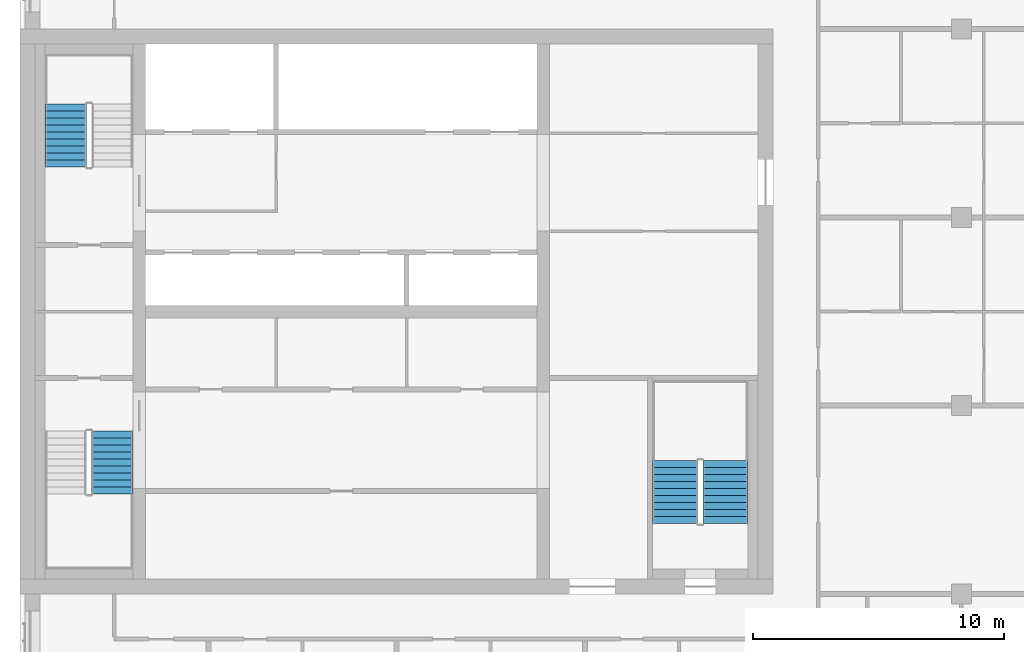
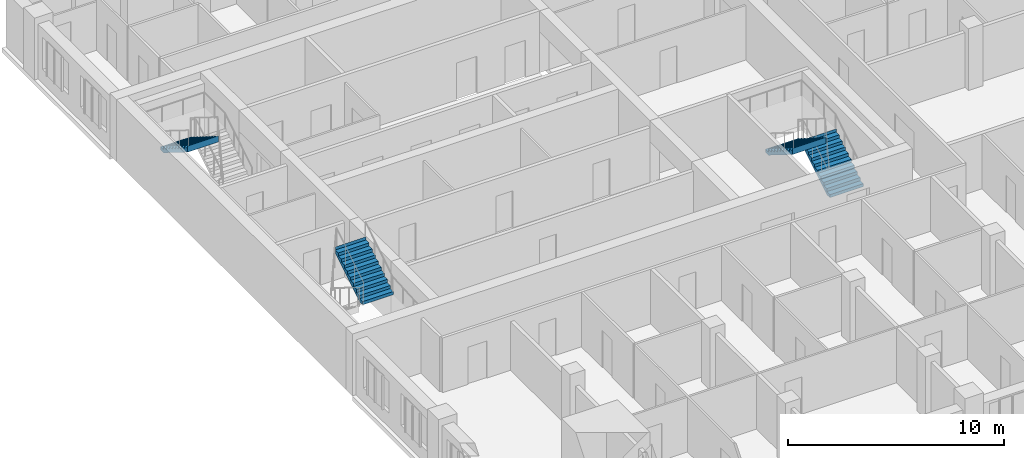
# One storey, part 9 of 11: 4 stair flights, 3 elements without a shape of their own.
"""IFC4 building model written with IfcOpenShell, lengths in metres."""

import ifcopenshell
import ifcopenshell.guid

model = None  # the IFC model being written
_history = None  # IfcOwnerHistory: only IFC2X3 demands one
_inside = {}  # id of a spatial element -> (the spatial element, [elements in it])
_under = {}  # id of a project, library or spatial element -> (it, [spatial elements below it])
_declared = {}  # id of a project -> (the project, [libraries it declares])
_typed = {}  # id of a type object -> (the type object, [elements of that type])
_made_of = {}  # id of a material, layer set ... -> (it, [elements and type objects made of it])


def new_model(schema):
    """Start an empty IFC model of exactly this schema.

    Asked for "IFC4X3", IfcOpenShell would pick the latest addendum, in which some entities
    have other attributes; the version numbers below select the first issue.
    IFC2X3 requires an IfcOwnerHistory on every rooted entity: one is made here for all.
    """
    global model, _history
    if schema == "IFC4X3":
        model = ifcopenshell.file(schema_version=(4, 3, 0, 0))
    else:
        model = ifcopenshell.file(schema=schema)
    _inside.clear()
    _under.clear()
    _declared.clear()
    _typed.clear()
    _made_of.clear()
    _history = None
    if model.schema == "IFC2X3":
        org = make("IfcOrganization", Name="unknown")
        user = make(
            "IfcPersonAndOrganization",
            ThePerson=make("IfcPerson", FamilyName="unknown"),
            TheOrganization=org,
        )
        app = make(
            "IfcApplication",
            ApplicationDeveloper=org,
            Version="unknown",
            ApplicationFullName="unknown",
            ApplicationIdentifier="unknown",
        )
        _history = make(
            "IfcOwnerHistory",
            OwningUser=user,
            OwningApplication=app,
            ChangeAction="ADDED",
            CreationDate=0,
        )
    return model


def make(cls, **values):
    """One entity of the class cls with the attributes given. An attribute that is None is left unset."""
    return model.create_entity(
        cls, **{name: value for name, value in values.items() if value is not None}
    )


def rooted(cls, **values):
    """An entity with a GlobalId (a new one), such as an element, a storey or a relation."""
    return make(cls, GlobalId=ifcopenshell.guid.new(), OwnerHistory=_history, **values)


def si_unit(unit_type, name, prefix=None):
    """IfcSIUnit, for example si_unit("LENGTHUNIT", "METRE", prefix="MILLI")."""
    return make("IfcSIUnit", UnitType=unit_type, Prefix=prefix, Name=name)


def assignment(units):
    """IfcUnitAssignment: the units of a project."""
    return None if units is None else make("IfcUnitAssignment", Units=units)


def point(xyz):
    """IfcCartesianPoint."""
    return None if xyz is None else make("IfcCartesianPoint", Coordinates=xyz)


def direction(xyz):
    """IfcDirection."""
    return None if xyz is None else make("IfcDirection", DirectionRatios=xyz)


def frame(location, z_axis=None, x_axis=None):
    """IfcAxis2Placement3D, a coordinate frame: its origin and axes. An axis left out is left unset."""
    return make(
        "IfcAxis2Placement3D",
        Location=point(location),
        Axis=direction(z_axis),
        RefDirection=direction(x_axis),
    )


def origin():
    """The frame at (0, 0, 0) with its axes left unset."""
    return frame((0.0, 0.0, 0.0))


def place(relative_to, where):
    """IfcLocalPlacement: puts the frame where relative to a parent placement (None: the world)."""
    return make(
        "IfcLocalPlacement", PlacementRelTo=relative_to, RelativePlacement=where
    )


def context(
    kind, dimensions, precision=None, world=None, true_north=None, identifier=None
):
    """IfcGeometricRepresentationContext, for example the 3D "Model" context."""
    return make(
        "IfcGeometricRepresentationContext",
        ContextIdentifier=identifier,
        ContextType=kind,
        CoordinateSpaceDimension=dimensions,
        Precision=precision,
        WorldCoordinateSystem=world,
        TrueNorth=true_north,
    )


def subcontext(parent, identifier, kind, view, scale=None):
    """IfcGeometricRepresentationSubContext, for example "Body" below "Model"."""
    return make(
        "IfcGeometricRepresentationSubContext",
        ContextIdentifier=identifier,
        ContextType=kind,
        ParentContext=parent,
        TargetScale=scale,
        TargetView=view,
    )


def project(units=None, contexts=None):
    """IfcProject with its units and contexts."""
    return rooted(
        "IfcProject",
        Name="project",
        RepresentationContexts=contexts,
        UnitsInContext=assignment(units),
    )


def spatial(cls, under=None, at=None, **own):
    """A site, building, storey or space (cls), placed at a placement, below another one or the project."""
    s = rooted(cls, ObjectPlacement=at, **own)
    if under is not None:
        _under.setdefault(under.id(), (under, []))[1].append(s)
    return s


def polyline(points):
    """IfcPolyline through the points."""
    return make("IfcPolyline", Points=[point(p) for p in points])


def outline(outer, holes=None, kind="AREA"):
    """IfcArbitraryClosedProfileDef: a profile drawn as a closed curve; with holes, ...WithVoids."""
    if holes is None:
        return make("IfcArbitraryClosedProfileDef", ProfileType=kind, OuterCurve=outer)
    return make(
        "IfcArbitraryProfileDefWithVoids",
        ProfileType=kind,
        OuterCurve=outer,
        InnerCurves=holes,
    )


def extrude(swept, where, along, depth):
    """IfcExtrudedAreaSolid: the profile swept, set in the frame where, extruded along a direction by depth."""
    return make(
        "IfcExtrudedAreaSolid",
        SweptArea=swept,
        Position=where,
        ExtrudedDirection=direction(along),
        Depth=depth,
    )


def shape(context_of_items, identifier, shape_type, items):
    """IfcShapeRepresentation: the items that make up one representation, for example the "Body"."""
    return make(
        "IfcShapeRepresentation",
        ContextOfItems=context_of_items,
        RepresentationIdentifier=identifier,
        RepresentationType=shape_type,
        Items=items,
    )


def material(Name=None, Category=None):
    """IfcMaterial."""
    return make("IfcMaterial", Name=Name, Category=Category)


def made_of(thing, what):
    """Note that an element or type object is made of a material, layer set ...; save() writes the relation."""
    if what is not None:
        _made_of.setdefault(what.id(), (what, []))[1].append(thing)
    return thing


def type_object(cls, material=None, **own):
    """A type object (cls), such as IfcWallType, which elements share."""
    return made_of(rooted(cls, **own), material)


def element(
    cls,
    number,
    at=None,
    inside=None,
    cuts=None,
    type_object=None,
    material=None,
    context=None,
    identifier="Body",
    shape_type=None,
    held_by="IfcProductDefinitionShape",
    body=None,
    shapes=None,
    **own,
):
    """One element of the class cls, such as IfcWall. Its Tag is "e" and its number.

    at: its placement. inside: the storey or other place that contains it. cuts: it is an
    opening in that element (IfcRelVoidsElement). A single representation is given by context,
    identifier, shape_type and body (its items); several are given by shapes. held_by: the class
    of the entity that holds the representations. save() writes the other relations.
    """
    e = rooted(cls, Tag="e%d" % number, ObjectPlacement=at, **own)
    if body is not None:
        shapes = [shape(context, identifier, shape_type, body)]
    if shapes is not None:
        e.Representation = make(held_by, Representations=shapes)
    if inside is not None:
        _inside.setdefault(inside.id(), (inside, []))[1].append(e)
    if cuts is not None:
        rooted(
            "IfcRelVoidsElement", RelatingBuildingElement=cuts, RelatedOpeningElement=e
        )
    if type_object is not None:
        _typed.setdefault(type_object.id(), (type_object, []))[1].append(e)
    return made_of(e, material)


def aggregate(whole, parts):
    """IfcRelAggregates: a whole, such as a stair, and the parts it consists of."""
    return rooted("IfcRelAggregates", RelatingObject=whole, RelatedObjects=parts)


def save(model, path):
    """Write the relations noted so far, then the file.

    IfcRelAggregates (storeys below a building ...), IfcRelContainedInSpatialStructure (elements
    in a storey), IfcRelDefinesByType, IfcRelAssociatesMaterial and IfcRelDeclares: one each for
    every whole, place, type object, material and project.
    """
    for whole, parts in _under.values():
        aggregate(whole, parts)
    for where, things in _inside.values():
        rooted(
            "IfcRelContainedInSpatialStructure",
            RelatedElements=things,
            RelatingStructure=where,
        )
    for kind, things in _typed.values():
        rooted("IfcRelDefinesByType", RelatedObjects=things, RelatingType=kind)
    for what, things in _made_of.values():
        rooted("IfcRelAssociatesMaterial", RelatedObjects=things, RelatingMaterial=what)
    for by, libraries in _declared.values():
        rooted("IfcRelDeclares", RelatingContext=by, RelatedDefinitions=libraries)
    model.write(path)


model = new_model("IFC4")

# Units and contexts
model_context = context("Model", 3, precision=1e-05, world=origin(), true_north=direction((0.0, 1.0)))
body_context = subcontext(model_context, "Body", "Model", "MODEL_VIEW")
ifc_project = project(units=[si_unit("LENGTHUNIT", "METRE"), si_unit("AREAUNIT", "SQUARE_METRE"), si_unit("VOLUMEUNIT", "CUBIC_METRE"), si_unit("PLANEANGLEUNIT", "RADIAN"), si_unit("MASSUNIT", "GRAM", prefix="KILO")], contexts=[model_context])

# Site, building, storey
site_placement = place(None, origin())
site = spatial("IfcSite", under=ifc_project, at=site_placement, CompositionType="ELEMENT")
building_placement = place(site_placement, origin())
building = spatial("IfcBuilding", under=site, at=building_placement, Name="Tamorin Gate", CompositionType="ELEMENT")
storey_placement = place(building_placement, frame((0.0, 0.0, 254.699951171875)))
storey = spatial("IfcBuildingStorey", under=building, at=storey_placement, Name="L64", CompositionType="ELEMENT", Elevation=254.699951171875)

# Stair, stair flight
ifc_material = material(Name="Concrete C40/50", Category="concrete")
stair_type = type_object("IfcStairType", Name="Exit stair", PredefinedType="HALF_TURN_STAIR", material=ifc_material)
stair_1_placement = place(storey_placement, origin())
stair_1 = element("IfcStair", 1, at=stair_1_placement, inside=storey, type_object=stair_type, Name="L64 stair ST1", PredefinedType="HALF_TURN_STAIR")
stair_flight_type = type_object("IfcStairFlightType", Name="Exit stair flight", PredefinedType="STRAIGHT", material=ifc_material)
stair_flight_1_placement = place(storey_placement, frame((33.675048828125, 63.97998046875, 1.75), z_axis=(0.0, 0.0, 1.0), x_axis=(0.0, 1.0, 0.0)))
stair_flight_1 = element("IfcStairFlight", 2, at=stair_flight_1_placement, type_object=stair_flight_type, Name="ST1 flight 2", NumberOfRisers=10, NumberOfTreads=9, PredefinedType="STRAIGHT", RiserHeight=0.175, TreadLength=0.28, context=body_context, shape_type="SweptSolid", body=[
    extrude(outline(polyline([(-0.00048828125, 0.0), (-0.00048828125, 0.001708984375), (-0.00048828125, 0.00341796875), (-0.00048828125, 0.005126953125), (-0.00048828125, 0.0068359375), (-0.00048828125, 0.008544921875), (-0.00048828125, 0.010498046875), (-0.00048828125, 0.01220703125), (-0.00048828125, 0.013916015625), (-0.00048828125, 0.015625), (-0.00048828125, 0.017333984375), (-0.00048828125, 0.01904296875), (-0.00048828125, 0.020751953125), (-0.00048828125, 0.0224609375), (-0.00048828125, 0.024169921875), (-0.00048828125, 0.02587890625), (-0.00048828125, 0.02783203125), (-0.00048828125, 0.029541015625), (-0.00048828125, 0.03125), (-0.00048828125, 0.032958984375), (-0.00048828125, 0.03466796875), (-0.00048828125, 0.036376953125), (-0.00048828125, 0.0380859375), (-0.00048828125, 0.039794921875), (-0.00048828125, 0.04150390625), (-0.00048828125, 0.043212890625), (-0.00048828125, 0.045166015625), (-0.00048828125, 0.046875), (-0.00048828125, 0.048583984375), (-0.00048828125, 0.05029296875), (-0.00048828125, 0.052001953125), (-0.00048828125, 0.0537109375), (-0.00048828125, 0.055419921875), (-0.00048828125, 0.05712890625), (-0.00048828125, 0.058837890625), (-0.00048828125, 0.060546875), (-0.00048828125, 0.062255859375), (-0.00048828125, 0.064208984375), (-0.00048828125, 0.06591796875), (-0.00048828125, 0.067626953125), (-0.00048828125, 0.0693359375), (-0.00048828125, 0.071044921875), (-0.00048828125, 0.07275390625), (-0.00048828125, 0.074462890625), (-0.00048828125, 0.076171875), (-0.00048828125, 0.077880859375), (-0.00048828125, 0.07958984375), (-0.00048828125, 0.08154296875), (-0.00048828125, 0.083251953125), (-0.00048828125, 0.0849609375), (-0.00048828125, 0.086669921875), (-0.00048828125, 0.08837890625), (-0.00048828125, 0.090087890625), (-0.00048828125, 0.091796875), (-0.00048828125, 0.093505859375), (-0.00048828125, 0.09521484375), (-0.00048828125, 0.096923828125), (-0.00048828125, 0.098876953125), (-0.00048828125, 0.1005859375), (-0.00048828125, 0.102294921875), (-0.00048828125, 0.10400390625), (-0.00048828125, 0.105712890625), (-0.00048828125, 0.107421875), (-0.00048828125, 0.109130859375), (-0.00048828125, 0.11083984375), (-0.00048828125, 0.112548828125), (-0.00048828125, 0.1142578125), (-0.00048828125, 0.1162109375), (-0.00048828125, 0.117919921875), (-0.00048828125, 0.11962890625), (-0.00048828125, 0.121337890625), (-0.00048828125, 0.123046875), (-0.00048828125, 0.124755859375), (-0.00048828125, 0.12646484375), (-0.00048828125, 0.128173828125), (-0.00048828125, 0.1298828125), (-0.00048828125, 0.131591796875), (-0.00048828125, 0.13330078125), (-0.00048828125, 0.13525390625), (-0.00048828125, 0.136962890625), (-0.00048828125, 0.138671875), (-0.00048828125, 0.140380859375), (-0.00048828125, 0.14208984375), (-0.00048828125, 0.143798828125), (-0.00048828125, 0.1455078125), (-0.00048828125, 0.147216796875), (-0.00048828125, 0.14892578125), (-0.00048828125, 0.150634765625), (-0.00048828125, 0.152587890625), (-0.00048828125, 0.154296875), (-0.00048828125, 0.156005859375), (-0.00048828125, 0.15771484375), (-0.00048828125, 0.159423828125), (-0.00048828125, 0.1611328125), (-0.00048828125, 0.162841796875), (-0.00048828125, 0.16455078125), (-0.00048828125, 0.166259765625), (-0.00048828125, 0.16796875), (-0.00048828125, 0.169921875), (-0.00048828125, 0.171630859375), (-0.00048828125, 0.17333984375), (-0.00048828125, 0.175048828125), (0.280029296875, 0.175048828125), (0.280029296875, 0.35009765625), (0.56005859375, 0.35009765625), (0.56005859375, 0.52490234375), (0.840087890625, 0.52490234375), (0.840087890625, 0.699951171875), (1.1201171875, 0.699951171875), (1.1201171875, 0.875), (1.39990234375, 0.875), (1.39990234375, 1.050048828125), (1.679931640625, 1.050048828125), (1.679931640625, 1.22509765625), (1.9599609375, 1.22509765625), (1.9599609375, 1.39990234375), (2.239990234375, 1.39990234375), (2.239990234375, 1.574951171875), (2.52001953125, 1.574951171875), (2.52001953125, 1.75), (2.5205078125, 1.75), (2.5205078125, 1.74658203125), (2.5205078125, 1.742919921875), (2.5205078125, 1.739501953125), (2.5205078125, 1.736083984375), (2.5205078125, 1.732666015625), (2.5205078125, 1.72900390625), (2.5205078125, 1.7255859375), (2.5205078125, 1.72216796875), (2.5205078125, 1.71875), (2.5205078125, 1.715087890625), (2.5205078125, 1.711669921875), (2.5205078125, 1.708251953125), (2.5205078125, 1.704833984375), (2.5205078125, 1.701171875), (2.5205078125, 1.69775390625), (2.5205078125, 1.6943359375), (2.5205078125, 1.690673828125), (2.5205078125, 1.687255859375), (2.5205078125, 1.683837890625), (2.5205078125, 1.680419921875), (2.5205078125, 1.6767578125), (2.5205078125, 1.67333984375), (2.5205078125, 1.669921875), (2.5205078125, 1.66650390625), (2.5205078125, 1.662841796875), (2.5205078125, 1.659423828125), (2.5205078125, 1.656005859375), (2.5205078125, 1.652587890625), (2.5205078125, 1.64892578125), (2.5205078125, 1.6455078125), (2.5205078125, 1.64208984375), (2.5205078125, 1.638427734375), (2.5205078125, 1.635009765625), (2.5205078125, 1.631591796875), (2.5205078125, 1.628173828125), (2.5205078125, 1.62451171875), (2.5205078125, 1.62109375), (2.5205078125, 1.61767578125), (2.5205078125, 1.6142578125), (2.5205078125, 1.610595703125), (2.5205078125, 1.607177734375), (2.5205078125, 1.603759765625), (2.5205078125, 1.600341796875), (2.5205078125, 1.5966796875), (2.5205078125, 1.59326171875), (2.5205078125, 1.58984375), (2.5205078125, 1.58642578125), (2.5205078125, 1.582763671875), (2.5205078125, 1.579345703125), (2.5205078125, 1.575927734375), (2.5205078125, 1.572265625), (2.5205078125, 1.56884765625), (2.5205078125, 1.5654296875), (2.5205078125, 1.56201171875), (2.5205078125, 1.558349609375), (2.5205078125, 1.554931640625), (2.5205078125, 1.551513671875), (2.5205078125, 1.548095703125), (2.5205078125, 1.54443359375), (2.5205078125, 1.541015625), (2.5205078125, 1.53759765625), (2.5205078125, 1.5341796875), (2.5205078125, 1.530517578125), (2.5205078125, 1.527099609375), (2.5205078125, 1.523681640625), (2.5205078125, 1.52001953125), (2.5205078125, 1.5166015625), (2.5205078125, 1.51318359375), (2.5205078125, 1.509765625), (2.5205078125, 1.506103515625), (2.5205078125, 1.502685546875), (2.5205078125, 1.499267578125), (2.5205078125, 1.495849609375), (2.5205078125, 1.4921875), (2.5205078125, 1.48876953125), (2.5205078125, 1.4853515625), (2.5205078125, 1.48193359375), (2.5205078125, 1.478271484375), (2.5205078125, 1.474853515625), (2.5205078125, 1.471435546875), (2.5205078125, 1.4677734375), (2.5205078125, 1.46435546875), (2.5205078125, 1.4609375), (2.5205078125, 1.45751953125), (2.5205078125, 1.453857421875), (2.5205078125, 1.450439453125), (2.5205078125, 1.447021484375), (2.5205078125, 1.443603515625), (2.5205078125, 1.43994140625), (2.5205078125, 1.4365234375), (2.5205078125, 1.43310546875), (2.5205078125, 1.4296875), (2.5205078125, 1.426025390625), (2.5205078125, 1.422607421875), (2.5205078125, 1.419189453125), (2.5205078125, 1.41552734375), (2.5205078125, 1.412109375), (2.5205078125, 1.40869140625), (2.5205078125, 1.4052734375), (2.5205078125, 1.401611328125), (2.5205078125, 1.398193359375), (2.52001953125, 1.398193359375), (0.28271484375, 0.0), (-0.00048828125, 0.0)])), frame((0.0, 0.824951171875, 0.0), z_axis=(0.0, -1.0, 0.0), x_axis=(1.0, 0.0, 0.0)), (0.0, 0.0, 1.0), 1.64990234375),
])
aggregate(stair_1, [stair_flight_1])

stair_2_placement = place(storey_placement, origin())
stair_2 = element("IfcStair", 3, at=stair_2_placement, inside=storey, type_object=stair_type, Name="L64 stair ST2", PredefinedType="HALF_TURN_STAIR")
stair_flight_2_placement = place(storey_placement, frame((31.824951171875, 79.52001953125, 1.75), z_axis=(0.0, 0.0, 1.0), x_axis=(0.0, -1.0, 0.0)))
stair_flight_2 = element("IfcStairFlight", 4, at=stair_flight_2_placement, type_object=stair_flight_type, Name="ST2 flight 2", NumberOfRisers=10, NumberOfTreads=9, PredefinedType="STRAIGHT", RiserHeight=0.175, TreadLength=0.28, context=body_context, shape_type="SweptSolid", body=[
    extrude(outline(polyline([(-0.00048828125, 0.0), (-0.00048828125, 0.001708984375), (-0.00048828125, 0.00341796875), (-0.00048828125, 0.005126953125), (-0.00048828125, 0.0068359375), (-0.00048828125, 0.008544921875), (-0.00048828125, 0.010498046875), (-0.00048828125, 0.01220703125), (-0.00048828125, 0.013916015625), (-0.00048828125, 0.015625), (-0.00048828125, 0.017333984375), (-0.00048828125, 0.01904296875), (-0.00048828125, 0.020751953125), (-0.00048828125, 0.0224609375), (-0.00048828125, 0.024169921875), (-0.00048828125, 0.02587890625), (-0.00048828125, 0.02783203125), (-0.00048828125, 0.029541015625), (-0.00048828125, 0.03125), (-0.00048828125, 0.032958984375), (-0.00048828125, 0.03466796875), (-0.00048828125, 0.036376953125), (-0.00048828125, 0.0380859375), (-0.00048828125, 0.039794921875), (-0.00048828125, 0.04150390625), (-0.00048828125, 0.043212890625), (-0.00048828125, 0.045166015625), (-0.00048828125, 0.046875), (-0.00048828125, 0.048583984375), (-0.00048828125, 0.05029296875), (-0.00048828125, 0.052001953125), (-0.00048828125, 0.0537109375), (-0.00048828125, 0.055419921875), (-0.00048828125, 0.05712890625), (-0.00048828125, 0.058837890625), (-0.00048828125, 0.060546875), (-0.00048828125, 0.062255859375), (-0.00048828125, 0.064208984375), (-0.00048828125, 0.06591796875), (-0.00048828125, 0.067626953125), (-0.00048828125, 0.0693359375), (-0.00048828125, 0.071044921875), (-0.00048828125, 0.07275390625), (-0.00048828125, 0.074462890625), (-0.00048828125, 0.076171875), (-0.00048828125, 0.077880859375), (-0.00048828125, 0.07958984375), (-0.00048828125, 0.08154296875), (-0.00048828125, 0.083251953125), (-0.00048828125, 0.0849609375), (-0.00048828125, 0.086669921875), (-0.00048828125, 0.08837890625), (-0.00048828125, 0.090087890625), (-0.00048828125, 0.091796875), (-0.00048828125, 0.093505859375), (-0.00048828125, 0.09521484375), (-0.00048828125, 0.096923828125), (-0.00048828125, 0.098876953125), (-0.00048828125, 0.1005859375), (-0.00048828125, 0.102294921875), (-0.00048828125, 0.10400390625), (-0.00048828125, 0.105712890625), (-0.00048828125, 0.107421875), (-0.00048828125, 0.109130859375), (-0.00048828125, 0.11083984375), (-0.00048828125, 0.112548828125), (-0.00048828125, 0.1142578125), (-0.00048828125, 0.1162109375), (-0.00048828125, 0.117919921875), (-0.00048828125, 0.11962890625), (-0.00048828125, 0.121337890625), (-0.00048828125, 0.123046875), (-0.00048828125, 0.124755859375), (-0.00048828125, 0.12646484375), (-0.00048828125, 0.128173828125), (-0.00048828125, 0.1298828125), (-0.00048828125, 0.131591796875), (-0.00048828125, 0.13330078125), (-0.00048828125, 0.13525390625), (-0.00048828125, 0.136962890625), (-0.00048828125, 0.138671875), (-0.00048828125, 0.140380859375), (-0.00048828125, 0.14208984375), (-0.00048828125, 0.143798828125), (-0.00048828125, 0.1455078125), (-0.00048828125, 0.147216796875), (-0.00048828125, 0.14892578125), (-0.00048828125, 0.150634765625), (-0.00048828125, 0.152587890625), (-0.00048828125, 0.154296875), (-0.00048828125, 0.156005859375), (-0.00048828125, 0.15771484375), (-0.00048828125, 0.159423828125), (-0.00048828125, 0.1611328125), (-0.00048828125, 0.162841796875), (-0.00048828125, 0.16455078125), (-0.00048828125, 0.166259765625), (-0.00048828125, 0.16796875), (-0.00048828125, 0.169921875), (-0.00048828125, 0.171630859375), (-0.00048828125, 0.17333984375), (-0.00048828125, 0.175048828125), (0.280029296875, 0.175048828125), (0.280029296875, 0.35009765625), (0.56005859375, 0.35009765625), (0.56005859375, 0.52490234375), (0.840087890625, 0.52490234375), (0.840087890625, 0.699951171875), (1.1201171875, 0.699951171875), (1.1201171875, 0.875), (1.39990234375, 0.875), (1.39990234375, 1.050048828125), (1.679931640625, 1.050048828125), (1.679931640625, 1.22509765625), (1.9599609375, 1.22509765625), (1.9599609375, 1.39990234375), (2.239990234375, 1.39990234375), (2.239990234375, 1.574951171875), (2.52001953125, 1.574951171875), (2.52001953125, 1.75), (2.5205078125, 1.75), (2.5205078125, 1.74658203125), (2.5205078125, 1.742919921875), (2.5205078125, 1.739501953125), (2.5205078125, 1.736083984375), (2.5205078125, 1.732666015625), (2.5205078125, 1.72900390625), (2.5205078125, 1.7255859375), (2.5205078125, 1.72216796875), (2.5205078125, 1.71875), (2.5205078125, 1.715087890625), (2.5205078125, 1.711669921875), (2.5205078125, 1.708251953125), (2.5205078125, 1.704833984375), (2.5205078125, 1.701171875), (2.5205078125, 1.69775390625), (2.5205078125, 1.6943359375), (2.5205078125, 1.690673828125), (2.5205078125, 1.687255859375), (2.5205078125, 1.683837890625), (2.5205078125, 1.680419921875), (2.5205078125, 1.6767578125), (2.5205078125, 1.67333984375), (2.5205078125, 1.669921875), (2.5205078125, 1.66650390625), (2.5205078125, 1.662841796875), (2.5205078125, 1.659423828125), (2.5205078125, 1.656005859375), (2.5205078125, 1.652587890625), (2.5205078125, 1.64892578125), (2.5205078125, 1.6455078125), (2.5205078125, 1.64208984375), (2.5205078125, 1.638427734375), (2.5205078125, 1.635009765625), (2.5205078125, 1.631591796875), (2.5205078125, 1.628173828125), (2.5205078125, 1.62451171875), (2.5205078125, 1.62109375), (2.5205078125, 1.61767578125), (2.5205078125, 1.6142578125), (2.5205078125, 1.610595703125), (2.5205078125, 1.607177734375), (2.5205078125, 1.603759765625), (2.5205078125, 1.600341796875), (2.5205078125, 1.5966796875), (2.5205078125, 1.59326171875), (2.5205078125, 1.58984375), (2.5205078125, 1.58642578125), (2.5205078125, 1.582763671875), (2.5205078125, 1.579345703125), (2.5205078125, 1.575927734375), (2.5205078125, 1.572265625), (2.5205078125, 1.56884765625), (2.5205078125, 1.5654296875), (2.5205078125, 1.56201171875), (2.5205078125, 1.558349609375), (2.5205078125, 1.554931640625), (2.5205078125, 1.551513671875), (2.5205078125, 1.548095703125), (2.5205078125, 1.54443359375), (2.5205078125, 1.541015625), (2.5205078125, 1.53759765625), (2.5205078125, 1.5341796875), (2.5205078125, 1.530517578125), (2.5205078125, 1.527099609375), (2.5205078125, 1.523681640625), (2.5205078125, 1.52001953125), (2.5205078125, 1.5166015625), (2.5205078125, 1.51318359375), (2.5205078125, 1.509765625), (2.5205078125, 1.506103515625), (2.5205078125, 1.502685546875), (2.5205078125, 1.499267578125), (2.5205078125, 1.495849609375), (2.5205078125, 1.4921875), (2.5205078125, 1.48876953125), (2.5205078125, 1.4853515625), (2.5205078125, 1.48193359375), (2.5205078125, 1.478271484375), (2.5205078125, 1.474853515625), (2.5205078125, 1.471435546875), (2.5205078125, 1.4677734375), (2.5205078125, 1.46435546875), (2.5205078125, 1.4609375), (2.5205078125, 1.45751953125), (2.5205078125, 1.453857421875), (2.5205078125, 1.450439453125), (2.5205078125, 1.447021484375), (2.5205078125, 1.443603515625), (2.5205078125, 1.43994140625), (2.5205078125, 1.4365234375), (2.5205078125, 1.43310546875), (2.5205078125, 1.4296875), (2.5205078125, 1.426025390625), (2.5205078125, 1.422607421875), (2.5205078125, 1.419189453125), (2.5205078125, 1.41552734375), (2.5205078125, 1.412109375), (2.5205078125, 1.40869140625), (2.5205078125, 1.4052734375), (2.5205078125, 1.401611328125), (2.5205078125, 1.398193359375), (2.52001953125, 1.398193359375), (0.28271484375, 0.0), (-0.00048828125, 0.0)])), frame((0.0, 0.824951171875, 0.0), z_axis=(0.0, -1.0, 0.0), x_axis=(1.0, 0.0, 0.0)), (0.0, 0.0, 1.0), 1.64990234375),
])
aggregate(stair_2, [stair_flight_2])

# Stair, stair flights
stair_3_placement = place(storey_placement, origin())
stair_3 = element("IfcStair", 5, at=stair_3_placement, inside=storey, type_object=stair_type, Name="L64 stair ST3", PredefinedType="HALF_TURN_STAIR")
stair_flight_3_placement = place(storey_placement, frame((58.10009765625, 62.800048828125, 0.0), z_axis=(0.0, 0.0, 1.0), x_axis=(0.0, 1.0, 0.0)))
stair_flight_3 = element("IfcStairFlight", 6, at=stair_flight_3_placement, type_object=stair_flight_type, Name="ST3 flight 1", NumberOfRisers=10, NumberOfTreads=9, PredefinedType="STRAIGHT", RiserHeight=0.175, TreadLength=0.28, context=body_context, shape_type="SweptSolid", body=[
    extrude(outline(polyline([(-0.00048828125, 0.0), (-0.00048828125, 0.001708984375), (-0.00048828125, 0.00341796875), (-0.00048828125, 0.005126953125), (-0.00048828125, 0.0068359375), (-0.00048828125, 0.008544921875), (-0.00048828125, 0.010498046875), (-0.00048828125, 0.01220703125), (-0.00048828125, 0.013916015625), (-0.00048828125, 0.015625), (-0.00048828125, 0.017333984375), (-0.00048828125, 0.01904296875), (-0.00048828125, 0.020751953125), (-0.00048828125, 0.0224609375), (-0.00048828125, 0.024169921875), (-0.00048828125, 0.02587890625), (-0.00048828125, 0.02783203125), (-0.00048828125, 0.029541015625), (-0.00048828125, 0.03125), (-0.00048828125, 0.032958984375), (-0.00048828125, 0.03466796875), (-0.00048828125, 0.036376953125), (-0.00048828125, 0.0380859375), (-0.00048828125, 0.039794921875), (-0.00048828125, 0.04150390625), (-0.00048828125, 0.043212890625), (-0.00048828125, 0.045166015625), (-0.00048828125, 0.046875), (-0.00048828125, 0.048583984375), (-0.00048828125, 0.05029296875), (-0.00048828125, 0.052001953125), (-0.00048828125, 0.0537109375), (-0.00048828125, 0.055419921875), (-0.00048828125, 0.05712890625), (-0.00048828125, 0.058837890625), (-0.00048828125, 0.060546875), (-0.00048828125, 0.062255859375), (-0.00048828125, 0.064208984375), (-0.00048828125, 0.06591796875), (-0.00048828125, 0.067626953125), (-0.00048828125, 0.0693359375), (-0.00048828125, 0.071044921875), (-0.00048828125, 0.07275390625), (-0.00048828125, 0.074462890625), (-0.00048828125, 0.076171875), (-0.00048828125, 0.077880859375), (-0.00048828125, 0.07958984375), (-0.00048828125, 0.08154296875), (-0.00048828125, 0.083251953125), (-0.00048828125, 0.0849609375), (-0.00048828125, 0.086669921875), (-0.00048828125, 0.08837890625), (-0.00048828125, 0.090087890625), (-0.00048828125, 0.091796875), (-0.00048828125, 0.093505859375), (-0.00048828125, 0.09521484375), (-0.00048828125, 0.096923828125), (-0.00048828125, 0.098876953125), (-0.00048828125, 0.1005859375), (-0.00048828125, 0.102294921875), (-0.00048828125, 0.10400390625), (-0.00048828125, 0.105712890625), (-0.00048828125, 0.107421875), (-0.00048828125, 0.109130859375), (-0.00048828125, 0.11083984375), (-0.00048828125, 0.112548828125), (-0.00048828125, 0.1142578125), (-0.00048828125, 0.1162109375), (-0.00048828125, 0.117919921875), (-0.00048828125, 0.11962890625), (-0.00048828125, 0.121337890625), (-0.00048828125, 0.123046875), (-0.00048828125, 0.124755859375), (-0.00048828125, 0.12646484375), (-0.00048828125, 0.128173828125), (-0.00048828125, 0.1298828125), (-0.00048828125, 0.131591796875), (-0.00048828125, 0.13330078125), (-0.00048828125, 0.13525390625), (-0.00048828125, 0.136962890625), (-0.00048828125, 0.138671875), (-0.00048828125, 0.140380859375), (-0.00048828125, 0.14208984375), (-0.00048828125, 0.143798828125), (-0.00048828125, 0.1455078125), (-0.00048828125, 0.147216796875), (-0.00048828125, 0.14892578125), (-0.00048828125, 0.150634765625), (-0.00048828125, 0.152587890625), (-0.00048828125, 0.154296875), (-0.00048828125, 0.156005859375), (-0.00048828125, 0.15771484375), (-0.00048828125, 0.159423828125), (-0.00048828125, 0.1611328125), (-0.00048828125, 0.162841796875), (-0.00048828125, 0.16455078125), (-0.00048828125, 0.166259765625), (-0.00048828125, 0.16796875), (-0.00048828125, 0.169921875), (-0.00048828125, 0.171630859375), (-0.00048828125, 0.17333984375), (-0.00048828125, 0.175048828125), (0.280029296875, 0.175048828125), (0.280029296875, 0.35009765625), (0.56005859375, 0.35009765625), (0.56005859375, 0.52490234375), (0.840087890625, 0.52490234375), (0.840087890625, 0.699951171875), (1.1201171875, 0.699951171875), (1.1201171875, 0.875), (1.39990234375, 0.875), (1.39990234375, 1.050048828125), (1.679931640625, 1.050048828125), (1.679931640625, 1.22509765625), (1.9599609375, 1.22509765625), (1.9599609375, 1.39990234375), (2.239990234375, 1.39990234375), (2.239990234375, 1.574951171875), (2.52001953125, 1.574951171875), (2.52001953125, 1.75), (2.5205078125, 1.75), (2.5205078125, 1.74658203125), (2.5205078125, 1.742919921875), (2.5205078125, 1.739501953125), (2.5205078125, 1.736083984375), (2.5205078125, 1.732666015625), (2.5205078125, 1.72900390625), (2.5205078125, 1.7255859375), (2.5205078125, 1.72216796875), (2.5205078125, 1.71875), (2.5205078125, 1.715087890625), (2.5205078125, 1.711669921875), (2.5205078125, 1.708251953125), (2.5205078125, 1.704833984375), (2.5205078125, 1.701171875), (2.5205078125, 1.69775390625), (2.5205078125, 1.6943359375), (2.5205078125, 1.690673828125), (2.5205078125, 1.687255859375), (2.5205078125, 1.683837890625), (2.5205078125, 1.680419921875), (2.5205078125, 1.6767578125), (2.5205078125, 1.67333984375), (2.5205078125, 1.669921875), (2.5205078125, 1.66650390625), (2.5205078125, 1.662841796875), (2.5205078125, 1.659423828125), (2.5205078125, 1.656005859375), (2.5205078125, 1.652587890625), (2.5205078125, 1.64892578125), (2.5205078125, 1.6455078125), (2.5205078125, 1.64208984375), (2.5205078125, 1.638427734375), (2.5205078125, 1.635009765625), (2.5205078125, 1.631591796875), (2.5205078125, 1.628173828125), (2.5205078125, 1.62451171875), (2.5205078125, 1.62109375), (2.5205078125, 1.61767578125), (2.5205078125, 1.6142578125), (2.5205078125, 1.610595703125), (2.5205078125, 1.607177734375), (2.5205078125, 1.603759765625), (2.5205078125, 1.600341796875), (2.5205078125, 1.5966796875), (2.5205078125, 1.59326171875), (2.5205078125, 1.58984375), (2.5205078125, 1.58642578125), (2.5205078125, 1.582763671875), (2.5205078125, 1.579345703125), (2.5205078125, 1.575927734375), (2.5205078125, 1.572265625), (2.5205078125, 1.56884765625), (2.5205078125, 1.5654296875), (2.5205078125, 1.56201171875), (2.5205078125, 1.558349609375), (2.5205078125, 1.554931640625), (2.5205078125, 1.551513671875), (2.5205078125, 1.548095703125), (2.5205078125, 1.54443359375), (2.5205078125, 1.541015625), (2.5205078125, 1.53759765625), (2.5205078125, 1.5341796875), (2.5205078125, 1.530517578125), (2.5205078125, 1.527099609375), (2.5205078125, 1.523681640625), (2.5205078125, 1.52001953125), (2.5205078125, 1.5166015625), (2.5205078125, 1.51318359375), (2.5205078125, 1.509765625), (2.5205078125, 1.506103515625), (2.5205078125, 1.502685546875), (2.5205078125, 1.499267578125), (2.5205078125, 1.495849609375), (2.5205078125, 1.4921875), (2.5205078125, 1.48876953125), (2.5205078125, 1.4853515625), (2.5205078125, 1.48193359375), (2.5205078125, 1.478271484375), (2.5205078125, 1.474853515625), (2.5205078125, 1.471435546875), (2.5205078125, 1.4677734375), (2.5205078125, 1.46435546875), (2.5205078125, 1.4609375), (2.5205078125, 1.45751953125), (2.5205078125, 1.453857421875), (2.5205078125, 1.450439453125), (2.5205078125, 1.447021484375), (2.5205078125, 1.443603515625), (2.5205078125, 1.43994140625), (2.5205078125, 1.4365234375), (2.5205078125, 1.43310546875), (2.5205078125, 1.4296875), (2.5205078125, 1.426025390625), (2.5205078125, 1.422607421875), (2.5205078125, 1.419189453125), (2.5205078125, 1.41552734375), (2.5205078125, 1.412109375), (2.5205078125, 1.40869140625), (2.5205078125, 1.4052734375), (2.5205078125, 1.401611328125), (2.5205078125, 1.398193359375), (2.52001953125, 1.398193359375), (0.28271484375, 0.0), (-0.00048828125, 0.0)])), frame((0.0, 0.89990234375, 0.0), z_axis=(0.0, -1.0, 0.0), x_axis=(1.0, 0.0, 0.0)), (0.0, 0.0, 1.0), 1.800048828125),
])
stair_flight_4_placement = place(storey_placement, frame((56.10009765625, 65.320068359375, 1.75), z_axis=(0.0, 0.0, 1.0), x_axis=(0.0, -1.0, 0.0)))
stair_flight_4 = element("IfcStairFlight", 7, at=stair_flight_4_placement, type_object=stair_flight_type, Name="ST3 flight 2", NumberOfRisers=10, NumberOfTreads=9, PredefinedType="STRAIGHT", RiserHeight=0.175, TreadLength=0.28, context=body_context, shape_type="SweptSolid", body=[
    extrude(outline(polyline([(-0.00048828125, 0.0), (-0.00048828125, 0.001708984375), (-0.00048828125, 0.00341796875), (-0.00048828125, 0.005126953125), (-0.00048828125, 0.0068359375), (-0.00048828125, 0.008544921875), (-0.00048828125, 0.010498046875), (-0.00048828125, 0.01220703125), (-0.00048828125, 0.013916015625), (-0.00048828125, 0.015625), (-0.00048828125, 0.017333984375), (-0.00048828125, 0.01904296875), (-0.00048828125, 0.020751953125), (-0.00048828125, 0.0224609375), (-0.00048828125, 0.024169921875), (-0.00048828125, 0.02587890625), (-0.00048828125, 0.02783203125), (-0.00048828125, 0.029541015625), (-0.00048828125, 0.03125), (-0.00048828125, 0.032958984375), (-0.00048828125, 0.03466796875), (-0.00048828125, 0.036376953125), (-0.00048828125, 0.0380859375), (-0.00048828125, 0.039794921875), (-0.00048828125, 0.04150390625), (-0.00048828125, 0.043212890625), (-0.00048828125, 0.045166015625), (-0.00048828125, 0.046875), (-0.00048828125, 0.048583984375), (-0.00048828125, 0.05029296875), (-0.00048828125, 0.052001953125), (-0.00048828125, 0.0537109375), (-0.00048828125, 0.055419921875), (-0.00048828125, 0.05712890625), (-0.00048828125, 0.058837890625), (-0.00048828125, 0.060546875), (-0.00048828125, 0.062255859375), (-0.00048828125, 0.064208984375), (-0.00048828125, 0.06591796875), (-0.00048828125, 0.067626953125), (-0.00048828125, 0.0693359375), (-0.00048828125, 0.071044921875), (-0.00048828125, 0.07275390625), (-0.00048828125, 0.074462890625), (-0.00048828125, 0.076171875), (-0.00048828125, 0.077880859375), (-0.00048828125, 0.07958984375), (-0.00048828125, 0.08154296875), (-0.00048828125, 0.083251953125), (-0.00048828125, 0.0849609375), (-0.00048828125, 0.086669921875), (-0.00048828125, 0.08837890625), (-0.00048828125, 0.090087890625), (-0.00048828125, 0.091796875), (-0.00048828125, 0.093505859375), (-0.00048828125, 0.09521484375), (-0.00048828125, 0.096923828125), (-0.00048828125, 0.098876953125), (-0.00048828125, 0.1005859375), (-0.00048828125, 0.102294921875), (-0.00048828125, 0.10400390625), (-0.00048828125, 0.105712890625), (-0.00048828125, 0.107421875), (-0.00048828125, 0.109130859375), (-0.00048828125, 0.11083984375), (-0.00048828125, 0.112548828125), (-0.00048828125, 0.1142578125), (-0.00048828125, 0.1162109375), (-0.00048828125, 0.117919921875), (-0.00048828125, 0.11962890625), (-0.00048828125, 0.121337890625), (-0.00048828125, 0.123046875), (-0.00048828125, 0.124755859375), (-0.00048828125, 0.12646484375), (-0.00048828125, 0.128173828125), (-0.00048828125, 0.1298828125), (-0.00048828125, 0.131591796875), (-0.00048828125, 0.13330078125), (-0.00048828125, 0.13525390625), (-0.00048828125, 0.136962890625), (-0.00048828125, 0.138671875), (-0.00048828125, 0.140380859375), (-0.00048828125, 0.14208984375), (-0.00048828125, 0.143798828125), (-0.00048828125, 0.1455078125), (-0.00048828125, 0.147216796875), (-0.00048828125, 0.14892578125), (-0.00048828125, 0.150634765625), (-0.00048828125, 0.152587890625), (-0.00048828125, 0.154296875), (-0.00048828125, 0.156005859375), (-0.00048828125, 0.15771484375), (-0.00048828125, 0.159423828125), (-0.00048828125, 0.1611328125), (-0.00048828125, 0.162841796875), (-0.00048828125, 0.16455078125), (-0.00048828125, 0.166259765625), (-0.00048828125, 0.16796875), (-0.00048828125, 0.169921875), (-0.00048828125, 0.171630859375), (-0.00048828125, 0.17333984375), (-0.00048828125, 0.175048828125), (0.280029296875, 0.175048828125), (0.280029296875, 0.35009765625), (0.56005859375, 0.35009765625), (0.56005859375, 0.52490234375), (0.840087890625, 0.52490234375), (0.840087890625, 0.699951171875), (1.1201171875, 0.699951171875), (1.1201171875, 0.875), (1.39990234375, 0.875), (1.39990234375, 1.050048828125), (1.679931640625, 1.050048828125), (1.679931640625, 1.22509765625), (1.9599609375, 1.22509765625), (1.9599609375, 1.39990234375), (2.239990234375, 1.39990234375), (2.239990234375, 1.574951171875), (2.52001953125, 1.574951171875), (2.52001953125, 1.75), (2.5205078125, 1.75), (2.5205078125, 1.74658203125), (2.5205078125, 1.742919921875), (2.5205078125, 1.739501953125), (2.5205078125, 1.736083984375), (2.5205078125, 1.732666015625), (2.5205078125, 1.72900390625), (2.5205078125, 1.7255859375), (2.5205078125, 1.72216796875), (2.5205078125, 1.71875), (2.5205078125, 1.715087890625), (2.5205078125, 1.711669921875), (2.5205078125, 1.708251953125), (2.5205078125, 1.704833984375), (2.5205078125, 1.701171875), (2.5205078125, 1.69775390625), (2.5205078125, 1.6943359375), (2.5205078125, 1.690673828125), (2.5205078125, 1.687255859375), (2.5205078125, 1.683837890625), (2.5205078125, 1.680419921875), (2.5205078125, 1.6767578125), (2.5205078125, 1.67333984375), (2.5205078125, 1.669921875), (2.5205078125, 1.66650390625), (2.5205078125, 1.662841796875), (2.5205078125, 1.659423828125), (2.5205078125, 1.656005859375), (2.5205078125, 1.652587890625), (2.5205078125, 1.64892578125), (2.5205078125, 1.6455078125), (2.5205078125, 1.64208984375), (2.5205078125, 1.638427734375), (2.5205078125, 1.635009765625), (2.5205078125, 1.631591796875), (2.5205078125, 1.628173828125), (2.5205078125, 1.62451171875), (2.5205078125, 1.62109375), (2.5205078125, 1.61767578125), (2.5205078125, 1.6142578125), (2.5205078125, 1.610595703125), (2.5205078125, 1.607177734375), (2.5205078125, 1.603759765625), (2.5205078125, 1.600341796875), (2.5205078125, 1.5966796875), (2.5205078125, 1.59326171875), (2.5205078125, 1.58984375), (2.5205078125, 1.58642578125), (2.5205078125, 1.582763671875), (2.5205078125, 1.579345703125), (2.5205078125, 1.575927734375), (2.5205078125, 1.572265625), (2.5205078125, 1.56884765625), (2.5205078125, 1.5654296875), (2.5205078125, 1.56201171875), (2.5205078125, 1.558349609375), (2.5205078125, 1.554931640625), (2.5205078125, 1.551513671875), (2.5205078125, 1.548095703125), (2.5205078125, 1.54443359375), (2.5205078125, 1.541015625), (2.5205078125, 1.53759765625), (2.5205078125, 1.5341796875), (2.5205078125, 1.530517578125), (2.5205078125, 1.527099609375), (2.5205078125, 1.523681640625), (2.5205078125, 1.52001953125), (2.5205078125, 1.5166015625), (2.5205078125, 1.51318359375), (2.5205078125, 1.509765625), (2.5205078125, 1.506103515625), (2.5205078125, 1.502685546875), (2.5205078125, 1.499267578125), (2.5205078125, 1.495849609375), (2.5205078125, 1.4921875), (2.5205078125, 1.48876953125), (2.5205078125, 1.4853515625), (2.5205078125, 1.48193359375), (2.5205078125, 1.478271484375), (2.5205078125, 1.474853515625), (2.5205078125, 1.471435546875), (2.5205078125, 1.4677734375), (2.5205078125, 1.46435546875), (2.5205078125, 1.4609375), (2.5205078125, 1.45751953125), (2.5205078125, 1.453857421875), (2.5205078125, 1.450439453125), (2.5205078125, 1.447021484375), (2.5205078125, 1.443603515625), (2.5205078125, 1.43994140625), (2.5205078125, 1.4365234375), (2.5205078125, 1.43310546875), (2.5205078125, 1.4296875), (2.5205078125, 1.426025390625), (2.5205078125, 1.422607421875), (2.5205078125, 1.419189453125), (2.5205078125, 1.41552734375), (2.5205078125, 1.412109375), (2.5205078125, 1.40869140625), (2.5205078125, 1.4052734375), (2.5205078125, 1.401611328125), (2.5205078125, 1.398193359375), (2.52001953125, 1.398193359375), (0.28271484375, 0.0), (-0.00048828125, 0.0)])), frame((0.0, 0.89990234375, 0.0), z_axis=(0.0, -1.0, 0.0), x_axis=(1.0, 0.0, 0.0)), (0.0, 0.0, 1.0), 1.800048828125),
])
aggregate(stair_3, [stair_flight_3, stair_flight_4])

save(model, "model.ifc")
